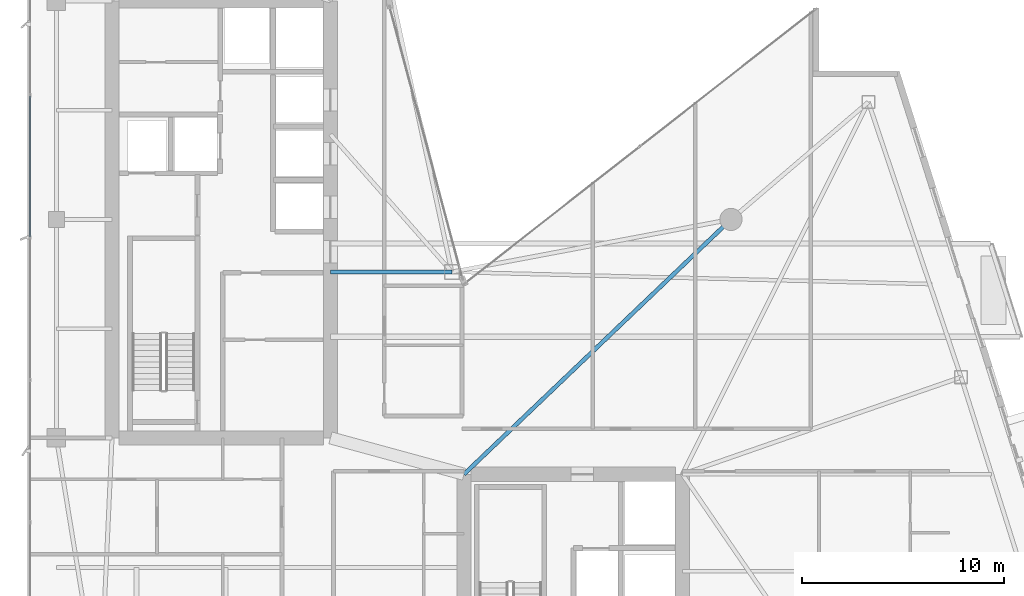
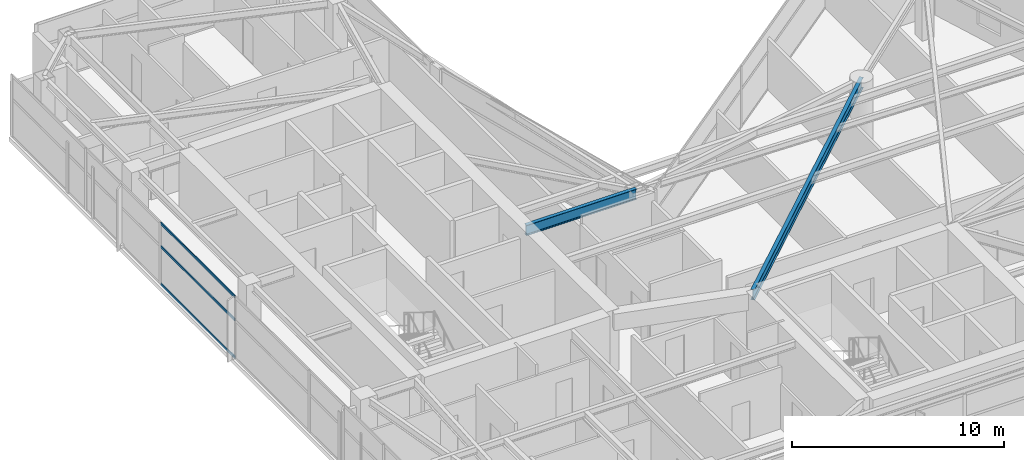
# One storey, part 9 of 30: 3 members, 2 beams, 1 element without a shape of its own.
"""IFC4 building model written with IfcOpenShell, lengths in metres."""

from ifc_helpers import new_model, si_unit, direction, frame, origin, origin_2d, place, context, subcontext, project, spatial, hollow_rectangle, i_section, extrude, material, layer, layer_set, material_profile, profile_set, type_object, element, aggregate, save


model = new_model("IFC4")

# Units and contexts
model_context = context("Model", 3, precision=1e-05, world=origin(), true_north=direction((0.0, 1.0)))
body_context = subcontext(model_context, "Body", "Model", "MODEL_VIEW")
ifc_project = project(units=[si_unit("LENGTHUNIT", "METRE"), si_unit("AREAUNIT", "SQUARE_METRE"), si_unit("VOLUMEUNIT", "CUBIC_METRE"), si_unit("PLANEANGLEUNIT", "RADIAN"), si_unit("MASSUNIT", "GRAM", prefix="KILO")], contexts=[model_context])

# Site, building, storey
site_placement = place(None, origin())
site = spatial("IfcSite", under=ifc_project, at=site_placement, CompositionType="ELEMENT")
building_placement = place(site_placement, origin())
building = spatial("IfcBuilding", under=site, at=building_placement, Name="Calvorn Quay Hotel", CompositionType="ELEMENT")
storey_placement = place(building_placement, frame((0.0, 0.0, 207.199951171875)))
storey = spatial("IfcBuildingStorey", under=building, at=storey_placement, Name="L51", CompositionType="ELEMENT", Elevation=207.199951171875)

# Beams
ifc_material_1 = material(Name="Steel Q355B", Category="steel")
ifc_material_profile_1 = material_profile(ifc_material_1, i_section(OverallWidth=0.199951171875, OverallDepth=0.60009765625, WebThickness=0.010986328125, FlangeThickness=0.01708984375, FilletRadius=0.01806640625, at=origin_2d()), Name="HN600x200x11x17")
ifc_profile_set_1 = profile_set([ifc_material_profile_1], Name="Steel Q355B")
beam_type = type_object("IfcBeamType", Name="BM-GIRD-TYP", PredefinedType="BEAM", material=ifc_profile_set_1)
beam_1_placement = place(storey_placement, frame((21.0, 25.0, 3.239990234375), z_axis=(-1.0, 0.0, 0.0), x_axis=(0.0, -1.0, 0.0)))
element("IfcBeam", 1, at=beam_1_placement, inside=storey, type_object=beam_type, Name="Beam BG-L51-W7", PredefinedType="BEAM", context=body_context, shape_type="SweptSolid", body=[
    extrude(i_section(OverallWidth=0.199951171875, OverallDepth=0.60009765625, WebThickness=0.010986328125, FlangeThickness=0.01708984375, FilletRadius=0.01806640625, at=origin_2d()), origin(), (0.0, 0.0, 1.0), 6.0),
])
beam_2_placement = place(storey_placement, frame((21.60009765625, 15.0, 3.239990234375), z_axis=(0.723351595578, 0.690479883252, 0.0), x_axis=(-0.690479883252, 0.723351595578, 0.0)))
element("IfcBeam", 2, at=beam_2_placement, inside=storey, type_object=beam_type, Name="Beam BG-L51-E4", PredefinedType="BEAM", context=body_context, shape_type="SweptSolid", body=[
    extrude(i_section(OverallWidth=0.199951171875, OverallDepth=0.60009765625, WebThickness=0.010986328125, FlangeThickness=0.01708984375, FilletRadius=0.01806640625, at=origin_2d()), origin(), (0.0, 0.0, 1.0), 18.248291015625),
])

# Curtain wall, members
ifc_material_2 = material(Name="Champagne Bronze Anodised Aluminium and Low-E Glass", Category="aluminium")
ifc_layer = layer(ifc_material_2, 0.219970703125)
ifc_layer_set = layer_set([ifc_layer], Name="CW-SYS-Z3")
curtain_wall_type = type_object("IfcCurtainWallType", Name="CW-SYS-Z3", PredefinedType="NOTDEFINED", material=ifc_layer_set)
curtain_wall_placement = place(storey_placement, origin())
curtain_wall = element("IfcCurtainWall", 3, at=curtain_wall_placement, inside=storey, type_object=curtain_wall_type, Name="Tower West Curtain Wall (L51)", PredefinedType="NOTDEFINED")
ifc_material_3 = material(Name="Champagne Bronze Anodised Aluminium 6063-T6", Category="aluminium")
ifc_material_profile_2 = material_profile(ifc_material_3, hollow_rectangle(XDim=0.05810546875, YDim=0.139892578125, WallThickness=0.003173828125, at=origin_2d()), Name="ALU-T140x58x3.2")
ifc_profile_set_2 = profile_set([ifc_material_profile_2], Name="Champagne Bronze Anodised Aluminium 6063-T6")
member_type = type_object("IfcMemberType", Name="CW-SYS-Z3-TRN", PredefinedType="USERDEFINED", material=ifc_profile_set_2)
member_1_placement = place(storey_placement, frame((0.14990234375, 26.72998046875, 0.030029296875), z_axis=(0.0, 1.0, 0.0), x_axis=(-1.0, 0.0, 0.0)))
member_1 = element("IfcMember", 4, at=member_1_placement, type_object=member_type, Name="CW-L51-W transom 4.1", ObjectType="TRANSOM", PredefinedType="USERDEFINED", context=body_context, shape_type="SweptSolid", body=[
    extrude(hollow_rectangle(XDim=0.05810546875, YDim=0.139892578125, WallThickness=0.003173828125, at=origin_2d()), origin(), (0.0, 0.0, 1.0), 6.973388671875),
])
member_2_placement = place(storey_placement, frame((0.14990234375, 26.72998046875, 2.199951171875), z_axis=(0.0, 1.0, 0.0), x_axis=(-1.0, 0.0, 0.0)))
member_2 = element("IfcMember", 5, at=member_2_placement, type_object=member_type, Name="CW-L51-W transom 4.2", ObjectType="TRANSOM", PredefinedType="USERDEFINED", context=body_context, shape_type="SweptSolid", body=[
    extrude(hollow_rectangle(XDim=0.05810546875, YDim=0.139892578125, WallThickness=0.003173828125, at=origin_2d()), origin(), (0.0, 0.0, 1.0), 6.973388671875),
])
member_3_placement = place(storey_placement, frame((0.14990234375, 26.72998046875, 3.530029296875), z_axis=(0.0, 1.0, 0.0), x_axis=(-1.0, 0.0, 0.0)))
member_3 = element("IfcMember", 6, at=member_3_placement, type_object=member_type, Name="CW-L51-W transom 4.3", ObjectType="TRANSOM", PredefinedType="USERDEFINED", context=body_context, shape_type="SweptSolid", body=[
    extrude(hollow_rectangle(XDim=0.05810546875, YDim=0.139892578125, WallThickness=0.003173828125, at=origin_2d()), origin(), (0.0, 0.0, 1.0), 6.973388671875),
])
aggregate(curtain_wall, [member_1, member_2, member_3])

save(model, "model.ifc")
